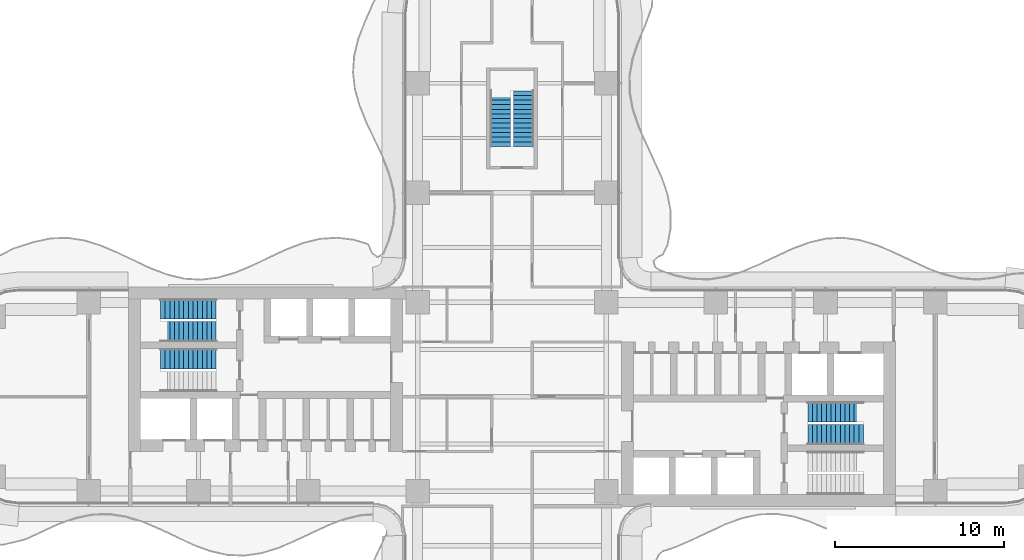
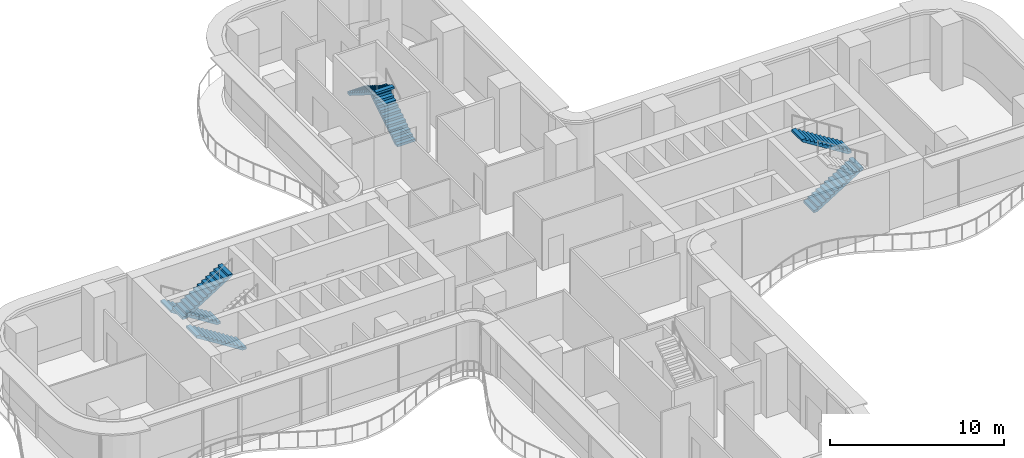
# One storey, part 21 of 23: 7 stair flights, 4 elements without a shape of their own.
"""IFC4 building model written with IfcOpenShell, lengths in metres."""

import ifcopenshell
import ifcopenshell.guid

model = None  # the IFC model being written
_history = None  # IfcOwnerHistory: only IFC2X3 demands one
_inside = {}  # id of a spatial element -> (the spatial element, [elements in it])
_under = {}  # id of a project, library or spatial element -> (it, [spatial elements below it])
_declared = {}  # id of a project -> (the project, [libraries it declares])
_typed = {}  # id of a type object -> (the type object, [elements of that type])
_made_of = {}  # id of a material, layer set ... -> (it, [elements and type objects made of it])


def new_model(schema):
    """Start an empty IFC model of exactly this schema.

    Asked for "IFC4X3", IfcOpenShell would pick the latest addendum, in which some entities
    have other attributes; the version numbers below select the first issue.
    IFC2X3 requires an IfcOwnerHistory on every rooted entity: one is made here for all.
    """
    global model, _history
    if schema == "IFC4X3":
        model = ifcopenshell.file(schema_version=(4, 3, 0, 0))
    else:
        model = ifcopenshell.file(schema=schema)
    _inside.clear()
    _under.clear()
    _declared.clear()
    _typed.clear()
    _made_of.clear()
    _history = None
    if model.schema == "IFC2X3":
        org = make("IfcOrganization", Name="unknown")
        user = make(
            "IfcPersonAndOrganization",
            ThePerson=make("IfcPerson", FamilyName="unknown"),
            TheOrganization=org,
        )
        app = make(
            "IfcApplication",
            ApplicationDeveloper=org,
            Version="unknown",
            ApplicationFullName="unknown",
            ApplicationIdentifier="unknown",
        )
        _history = make(
            "IfcOwnerHistory",
            OwningUser=user,
            OwningApplication=app,
            ChangeAction="ADDED",
            CreationDate=0,
        )
    return model


def make(cls, **values):
    """One entity of the class cls with the attributes given. An attribute that is None is left unset."""
    return model.create_entity(
        cls, **{name: value for name, value in values.items() if value is not None}
    )


def rooted(cls, **values):
    """An entity with a GlobalId (a new one), such as an element, a storey or a relation."""
    return make(cls, GlobalId=ifcopenshell.guid.new(), OwnerHistory=_history, **values)


def si_unit(unit_type, name, prefix=None):
    """IfcSIUnit, for example si_unit("LENGTHUNIT", "METRE", prefix="MILLI")."""
    return make("IfcSIUnit", UnitType=unit_type, Prefix=prefix, Name=name)


def assignment(units):
    """IfcUnitAssignment: the units of a project."""
    return None if units is None else make("IfcUnitAssignment", Units=units)


def point(xyz):
    """IfcCartesianPoint."""
    return None if xyz is None else make("IfcCartesianPoint", Coordinates=xyz)


def direction(xyz):
    """IfcDirection."""
    return None if xyz is None else make("IfcDirection", DirectionRatios=xyz)


def frame(location, z_axis=None, x_axis=None):
    """IfcAxis2Placement3D, a coordinate frame: its origin and axes. An axis left out is left unset."""
    return make(
        "IfcAxis2Placement3D",
        Location=point(location),
        Axis=direction(z_axis),
        RefDirection=direction(x_axis),
    )


def origin():
    """The frame at (0, 0, 0) with its axes left unset."""
    return frame((0.0, 0.0, 0.0))


def place(relative_to, where):
    """IfcLocalPlacement: puts the frame where relative to a parent placement (None: the world)."""
    return make(
        "IfcLocalPlacement", PlacementRelTo=relative_to, RelativePlacement=where
    )


def context(
    kind, dimensions, precision=None, world=None, true_north=None, identifier=None
):
    """IfcGeometricRepresentationContext, for example the 3D "Model" context."""
    return make(
        "IfcGeometricRepresentationContext",
        ContextIdentifier=identifier,
        ContextType=kind,
        CoordinateSpaceDimension=dimensions,
        Precision=precision,
        WorldCoordinateSystem=world,
        TrueNorth=true_north,
    )


def subcontext(parent, identifier, kind, view, scale=None):
    """IfcGeometricRepresentationSubContext, for example "Body" below "Model"."""
    return make(
        "IfcGeometricRepresentationSubContext",
        ContextIdentifier=identifier,
        ContextType=kind,
        ParentContext=parent,
        TargetScale=scale,
        TargetView=view,
    )


def project(units=None, contexts=None):
    """IfcProject with its units and contexts."""
    return rooted(
        "IfcProject",
        Name="project",
        RepresentationContexts=contexts,
        UnitsInContext=assignment(units),
    )


def spatial(cls, under=None, at=None, **own):
    """A site, building, storey or space (cls), placed at a placement, below another one or the project."""
    s = rooted(cls, ObjectPlacement=at, **own)
    if under is not None:
        _under.setdefault(under.id(), (under, []))[1].append(s)
    return s


def polyline(points):
    """IfcPolyline through the points."""
    return make("IfcPolyline", Points=[point(p) for p in points])


def outline(outer, holes=None, kind="AREA"):
    """IfcArbitraryClosedProfileDef: a profile drawn as a closed curve; with holes, ...WithVoids."""
    if holes is None:
        return make("IfcArbitraryClosedProfileDef", ProfileType=kind, OuterCurve=outer)
    return make(
        "IfcArbitraryProfileDefWithVoids",
        ProfileType=kind,
        OuterCurve=outer,
        InnerCurves=holes,
    )


def extrude(swept, where, along, depth):
    """IfcExtrudedAreaSolid: the profile swept, set in the frame where, extruded along a direction by depth."""
    return make(
        "IfcExtrudedAreaSolid",
        SweptArea=swept,
        Position=where,
        ExtrudedDirection=direction(along),
        Depth=depth,
    )


def shape(context_of_items, identifier, shape_type, items):
    """IfcShapeRepresentation: the items that make up one representation, for example the "Body"."""
    return make(
        "IfcShapeRepresentation",
        ContextOfItems=context_of_items,
        RepresentationIdentifier=identifier,
        RepresentationType=shape_type,
        Items=items,
    )


def source(mapping_origin, context_of_items, identifier, shape_type, items):
    """IfcRepresentationMap: a shape defined once, which mapped items show again and again."""
    return make(
        "IfcRepresentationMap",
        MappingOrigin=mapping_origin,
        MappedRepresentation=shape(context_of_items, identifier, shape_type, items),
    )


def transform(
    local_origin,
    x_axis=None,
    y_axis=None,
    z_axis=None,
    scale=None,
    scale2=None,
    scale3=None,
    uniform=True,
):
    """IfcCartesianTransformationOperator3D, or its non-uniform kind. x_axis, y_axis, z_axis: its Axis1, 2, 3."""
    if uniform:
        return make(
            "IfcCartesianTransformationOperator3D",
            Axis1=direction(x_axis),
            Axis2=direction(y_axis),
            LocalOrigin=point(local_origin),
            Scale=scale,
            Axis3=direction(z_axis),
        )
    return make(
        "IfcCartesianTransformationOperator3DnonUniform",
        Axis1=direction(x_axis),
        Axis2=direction(y_axis),
        LocalOrigin=point(local_origin),
        Scale=scale,
        Axis3=direction(z_axis),
        Scale2=scale2,
        Scale3=scale3,
    )


def mapped(mapping_source, mapping_target):
    """IfcMappedItem: shows the shape of a source again, moved by a transform."""
    return make(
        "IfcMappedItem", MappingSource=mapping_source, MappingTarget=mapping_target
    )


def material(Name=None, Category=None):
    """IfcMaterial."""
    return make("IfcMaterial", Name=Name, Category=Category)


def made_of(thing, what):
    """Note that an element or type object is made of a material, layer set ...; save() writes the relation."""
    if what is not None:
        _made_of.setdefault(what.id(), (what, []))[1].append(thing)
    return thing


def type_object(cls, material=None, **own):
    """A type object (cls), such as IfcWallType, which elements share."""
    return made_of(rooted(cls, **own), material)


def element(
    cls,
    number,
    at=None,
    inside=None,
    cuts=None,
    type_object=None,
    material=None,
    context=None,
    identifier="Body",
    shape_type=None,
    held_by="IfcProductDefinitionShape",
    body=None,
    shapes=None,
    **own,
):
    """One element of the class cls, such as IfcWall. Its Tag is "e" and its number.

    at: its placement. inside: the storey or other place that contains it. cuts: it is an
    opening in that element (IfcRelVoidsElement). A single representation is given by context,
    identifier, shape_type and body (its items); several are given by shapes. held_by: the class
    of the entity that holds the representations. save() writes the other relations.
    """
    e = rooted(cls, Tag="e%d" % number, ObjectPlacement=at, **own)
    if body is not None:
        shapes = [shape(context, identifier, shape_type, body)]
    if shapes is not None:
        e.Representation = make(held_by, Representations=shapes)
    if inside is not None:
        _inside.setdefault(inside.id(), (inside, []))[1].append(e)
    if cuts is not None:
        rooted(
            "IfcRelVoidsElement", RelatingBuildingElement=cuts, RelatedOpeningElement=e
        )
    if type_object is not None:
        _typed.setdefault(type_object.id(), (type_object, []))[1].append(e)
    return made_of(e, material)


def aggregate(whole, parts):
    """IfcRelAggregates: a whole, such as a stair, and the parts it consists of."""
    return rooted("IfcRelAggregates", RelatingObject=whole, RelatedObjects=parts)


def save(model, path):
    """Write the relations noted so far, then the file.

    IfcRelAggregates (storeys below a building ...), IfcRelContainedInSpatialStructure (elements
    in a storey), IfcRelDefinesByType, IfcRelAssociatesMaterial and IfcRelDeclares: one each for
    every whole, place, type object, material and project.
    """
    for whole, parts in _under.values():
        aggregate(whole, parts)
    for where, things in _inside.values():
        rooted(
            "IfcRelContainedInSpatialStructure",
            RelatedElements=things,
            RelatingStructure=where,
        )
    for kind, things in _typed.values():
        rooted("IfcRelDefinesByType", RelatedObjects=things, RelatingType=kind)
    for what, things in _made_of.values():
        rooted("IfcRelAssociatesMaterial", RelatedObjects=things, RelatingMaterial=what)
    for by, libraries in _declared.values():
        rooted("IfcRelDeclares", RelatingContext=by, RelatedDefinitions=libraries)
    model.write(path)


model = new_model("IFC4")

# Units and contexts
model_context = context("Model", 3, precision=1e-05, world=origin(), true_north=direction((0.0, 1.0)))
body_context = subcontext(model_context, "Body", "Model", "MODEL_VIEW")
ifc_project = project(units=[si_unit("LENGTHUNIT", "METRE"), si_unit("AREAUNIT", "SQUARE_METRE"), si_unit("VOLUMEUNIT", "CUBIC_METRE"), si_unit("PLANEANGLEUNIT", "RADIAN"), si_unit("MASSUNIT", "GRAM", prefix="KILO")], contexts=[model_context])

# Site, building, storey
site_placement = place(None, origin())
site = spatial("IfcSite", under=ifc_project, at=site_placement, CompositionType="ELEMENT")
building_placement = place(site_placement, origin())
building = spatial("IfcBuilding", under=site, at=building_placement, Name="Trellis Farm Tower", CompositionType="ELEMENT")
storey_placement = place(building_placement, frame((0.0, 0.0, 74.5)))
storey = spatial("IfcBuildingStorey", under=building, at=storey_placement, Name="L15", CompositionType="ELEMENT", Elevation=74.5)

# Stair, stair flights
ifc_material = material(Name="Concrete C50/60", Category="concrete")
stair_type = type_object("IfcStairType", Name="CORE EXIT STAIR 26 RISERS 173 MM", PredefinedType="HALF_TURN_STAIR", material=ifc_material)
placement = place(storey_placement, origin())
stair_1 = element("IfcStair", 1, at=placement, inside=storey, type_object=stair_type, Name="Exit stair N", PredefinedType="HALF_TURN_STAIR")
stair_flight_type = type_object("IfcStairFlightType", Name="STAIR FLIGHT 13 RISERS 173 MM", PredefinedType="STRAIGHT", material=ifc_material)
shared_shape = source(origin(), body_context, "Body", "SweptSolid", [
    extrude(outline(polyline([(0.0, 0.0), (0.0, 0.173095703125), (0.27490234375, 0.173095703125), (0.27490234375, 0.34619140625), (0.550048828125, 0.34619140625), (0.550048828125, 0.519287109375), (0.824951171875, 0.519287109375), (0.824951171875, 0.6923828125), (1.10009765625, 0.6923828125), (1.10009765625, 0.865478515625), (1.375, 0.865478515625), (1.375, 1.03857421875), (1.64990234375, 1.03857421875), (1.64990234375, 1.21142578125), (1.925048828125, 1.21142578125), (1.925048828125, 1.384521484375), (2.199951171875, 1.384521484375), (2.199951171875, 1.5576171875), (2.47509765625, 1.5576171875), (2.47509765625, 1.730712890625), (2.75, 1.730712890625), (2.75, 1.90380859375), (3.02490234375, 1.90380859375), (3.02490234375, 2.076904296875), (3.300048828125, 2.076904296875), (3.300048828125, 2.25), (3.300048828125, 1.92333984375), (0.243896484375, 0.0), (0.0, 0.0)])), frame((0.0, 0.60009765625, 0.0), z_axis=(0.0, -1.0, 0.0), x_axis=(1.0, 0.0, 0.0)), (0.0, 0.0, 1.0), 1.199951171875),
])
stair_flight_1_placement = place(storey_placement, frame((0.699951171875, 14.85009765625, 0.0), z_axis=(0.0, 0.0, 1.0), x_axis=(0.0, 1.0, 0.0)))
stair_flight_1 = element("IfcStairFlight", 2, at=stair_flight_1_placement, type_object=stair_flight_type, Name="STN flight 1", NumberOfRisers=13, NumberOfTreads=12, PredefinedType="STRAIGHT", RiserHeight=0.173076923, TreadLength=0.275, context=body_context, shape_type="MappedRepresentation", body=[
    mapped(shared_shape, transform((0.0, 0.0, 0.0))),
])
stair_flight_2_placement = place(storey_placement, frame((-0.699951171875, 18.14990234375, 2.25), z_axis=(0.0, 0.0, 1.0), x_axis=(0.0, -1.0, 0.0)))
stair_flight_2 = element("IfcStairFlight", 3, at=stair_flight_2_placement, type_object=stair_flight_type, Name="STN flight 2", NumberOfRisers=13, NumberOfTreads=12, PredefinedType="STRAIGHT", RiserHeight=0.173076923, TreadLength=0.275, context=body_context, shape_type="MappedRepresentation", body=[
    mapped(shared_shape, transform((0.0, 0.0, 0.0))),
])
aggregate(stair_1, [stair_flight_1, stair_flight_2])

stair_2 = element("IfcStair", 4, at=placement, inside=storey, type_object=stair_type, Name="Exit stair E2", PredefinedType="HALF_TURN_STAIR")
stair_flight_3_placement = place(storey_placement, frame((17.550048828125, -2.25, 0.0), z_axis=(0.0, 0.0, 1.0), x_axis=(1.0, 0.0, 0.0)))
stair_flight_3 = element("IfcStairFlight", 5, at=stair_flight_3_placement, type_object=stair_flight_type, Name="STE2 flight 1", NumberOfRisers=13, NumberOfTreads=12, PredefinedType="STRAIGHT", RiserHeight=0.173076923, TreadLength=0.275, context=body_context, shape_type="MappedRepresentation", body=[
    mapped(shared_shape, transform((0.0, 0.0, 0.0))),
])
stair_flight_4_placement = place(storey_placement, frame((20.85009765625, -0.89990234375, 2.25), z_axis=(0.0, 0.0, 1.0), x_axis=(-1.0, 0.0, 0.0)))
stair_flight_4 = element("IfcStairFlight", 6, at=stair_flight_4_placement, type_object=stair_flight_type, Name="STE2 flight 2", NumberOfRisers=13, NumberOfTreads=12, PredefinedType="STRAIGHT", RiserHeight=0.173076923, TreadLength=0.275, context=body_context, shape_type="MappedRepresentation", body=[
    mapped(shared_shape, transform((0.0, 0.0, 0.0))),
])
aggregate(stair_2, [stair_flight_3, stair_flight_4])

stair_3 = element("IfcStair", 7, at=placement, inside=storey, type_object=stair_type, Name="Exit stair W1", PredefinedType="HALF_TURN_STAIR")
stair_flight_5_placement = place(storey_placement, frame((-17.550048828125, 5.199951171875, 0.0), z_axis=(0.0, 0.0, 1.0), x_axis=(-1.0, 0.0, 0.0)))
stair_flight_5 = element("IfcStairFlight", 8, at=stair_flight_5_placement, type_object=stair_flight_type, Name="STW1 flight 1", NumberOfRisers=13, NumberOfTreads=12, PredefinedType="STRAIGHT", RiserHeight=0.173076923, TreadLength=0.275, context=body_context, shape_type="MappedRepresentation", body=[
    mapped(shared_shape, transform((0.0, 0.0, 0.0))),
])
stair_flight_6_placement = place(storey_placement, frame((-20.85009765625, 3.85009765625, 2.25), z_axis=(0.0, 0.0, 1.0), x_axis=(1.0, 0.0, 0.0)))
stair_flight_6 = element("IfcStairFlight", 9, at=stair_flight_6_placement, type_object=stair_flight_type, Name="STW1 flight 2", NumberOfRisers=13, NumberOfTreads=12, PredefinedType="STRAIGHT", RiserHeight=0.173076923, TreadLength=0.275, context=body_context, shape_type="MappedRepresentation", body=[
    mapped(shared_shape, transform((0.0, 0.0, 0.0))),
])
aggregate(stair_3, [stair_flight_5, stair_flight_6])

# Stair, stair flight
stair_4 = element("IfcStair", 10, at=placement, inside=storey, type_object=stair_type, Name="Exit stair W2", PredefinedType="HALF_TURN_STAIR")
stair_flight_7_placement = place(storey_placement, frame((-17.550048828125, 2.25, 0.0), z_axis=(0.0, 0.0, 1.0), x_axis=(-1.0, 0.0, 0.0)))
stair_flight_7 = element("IfcStairFlight", 11, at=stair_flight_7_placement, type_object=stair_flight_type, Name="STW2 flight 1", NumberOfRisers=13, NumberOfTreads=12, PredefinedType="STRAIGHT", RiserHeight=0.173076923, TreadLength=0.275, context=body_context, shape_type="MappedRepresentation", body=[
    mapped(shared_shape, transform((0.0, 0.0, 0.0))),
])
aggregate(stair_4, [stair_flight_7])

save(model, "model.ifc")
